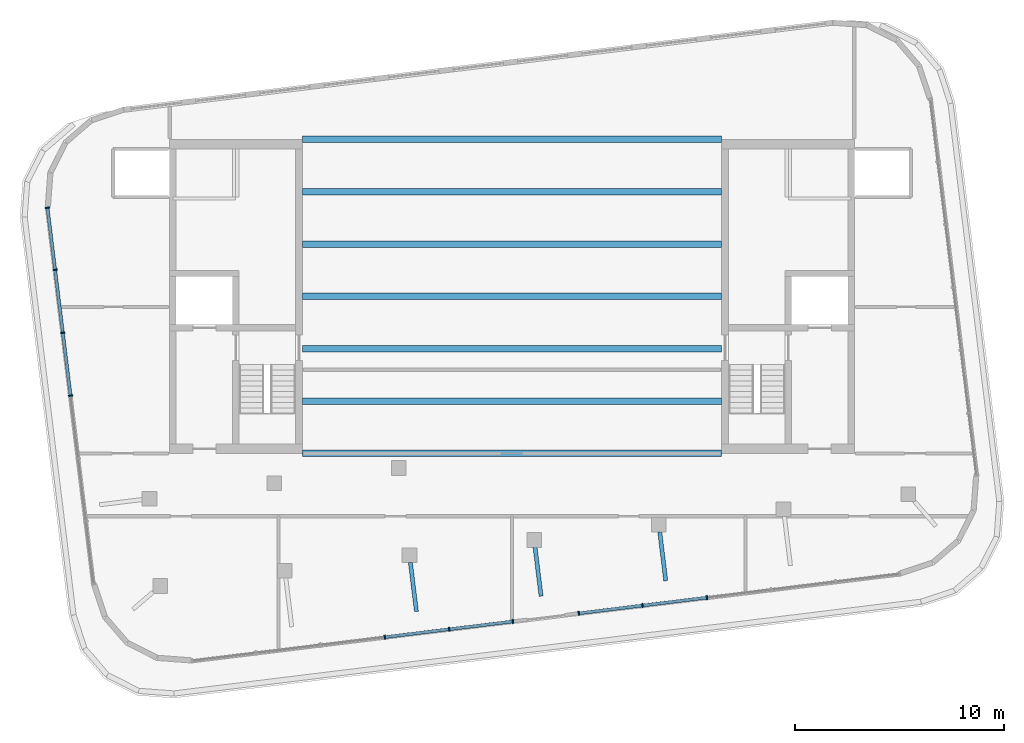
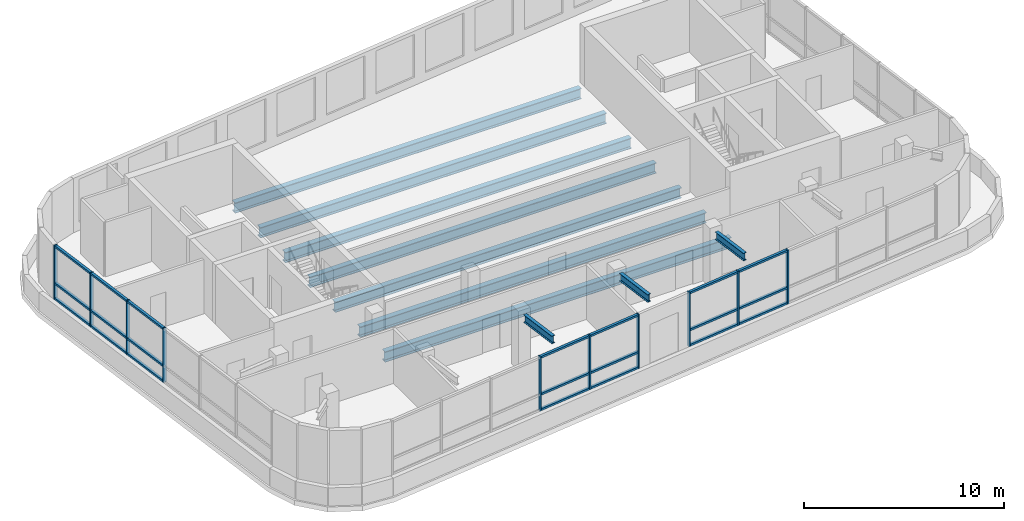
# One storey, part 2 of 8: 31 members, 10 beams, 3 elements without a shape of their own.
"""IFC4 building model written with IfcOpenShell, lengths in metres."""

from ifc_helpers import new_model, si_unit, direction, frame, origin, origin_2d, place, context, subcontext, project, spatial, rectangle, i_section, extrude, material, layer, layer_set, material_profile, profile_set, type_object, element, aggregate, save


model = new_model("IFC4")

# Units and contexts
model_context = context("Model", 3, precision=1e-05, world=origin(), true_north=direction((0.0, 1.0)))
body_context = subcontext(model_context, "Body", "Model", "MODEL_VIEW")
ifc_project = project(units=[si_unit("LENGTHUNIT", "METRE"), si_unit("AREAUNIT", "SQUARE_METRE"), si_unit("VOLUMEUNIT", "CUBIC_METRE"), si_unit("PLANEANGLEUNIT", "RADIAN"), si_unit("MASSUNIT", "GRAM", prefix="KILO")], contexts=[model_context])

# Site, building, storey
site_placement = place(None, origin())
site = spatial("IfcSite", under=ifc_project, at=site_placement, CompositionType="ELEMENT")
building_placement = place(site_placement, origin())
building = spatial("IfcBuilding", under=site, at=building_placement, Name="Torana Hotel and Residences", CompositionType="ELEMENT")
storey_placement = place(building_placement, frame((0.0, 0.0, 346.60009765625)))
storey = spatial("IfcBuildingStorey", under=building, at=storey_placement, Name="C1", CompositionType="ELEMENT", Elevation=346.60009765625)

# Beams
ifc_material_1 = material(Name="Steel S355", Category="steel")
ifc_material_profile_1 = material_profile(ifc_material_1, i_section(OverallWidth=0.19287109375, OverallDepth=0.46728515625, WebThickness=0.011474609375, FlangeThickness=0.01953125, FilletRadius=0.01025390625, at=origin_2d()), Name="457x191x98 UB")
ifc_profile_set_1 = profile_set([ifc_material_profile_1], Name="Steel S355")
beam_type_1 = type_object("IfcBeamType", Name="BALCONY CANTILEVER BEAM 457x191x98 UB", PredefinedType="BEAM", material=ifc_profile_set_1)
beam_1_placement = place(storey_placement, frame((-4.853271484375, -20.2060546875, 3.06640625), z_axis=(0.12190917242, -0.992541260442, 0.0), x_axis=(0.992541260442, 0.12190917242, 0.0)))
element("IfcBeam", 1, at=beam_1_placement, inside=storey, type_object=beam_type_1, Name="Balcony cantilever beam", PredefinedType="BEAM", context=body_context, shape_type="SweptSolid", body=[
    extrude(i_section(OverallWidth=0.19287109375, OverallDepth=0.46728515625, WebThickness=0.011474609375, FlangeThickness=0.01953125, FilletRadius=0.01025390625, at=origin_2d()), origin(), (0.0, 0.0, 1.0), 2.361083984375),
])
beam_2_placement = place(storey_placement, frame((1.101806640625, -19.47509765625, 3.06640625), z_axis=(0.121819809312, -0.992552232409, 0.0), x_axis=(0.992552232409, 0.121819809312, 0.0)))
element("IfcBeam", 2, at=beam_2_placement, inside=storey, type_object=beam_type_1, Name="Balcony cantilever beam", PredefinedType="BEAM", context=body_context, shape_type="SweptSolid", body=[
    extrude(i_section(OverallWidth=0.19287109375, OverallDepth=0.46728515625, WebThickness=0.011474609375, FlangeThickness=0.01953125, FilletRadius=0.01025390625, at=origin_2d()), origin(), (0.0, 0.0, 1.0), 2.36083984375),
])
beam_3_placement = place(storey_placement, frame((7.057861328125, -18.744140625, 3.06640625), z_axis=(0.12183231444, -0.992550697525, 0.0), x_axis=(0.992550697525, 0.12183231444, 0.0)))
element("IfcBeam", 3, at=beam_3_placement, inside=storey, type_object=beam_type_1, Name="Balcony cantilever beam", PredefinedType="BEAM", context=body_context, shape_type="SweptSolid", body=[
    extrude(i_section(OverallWidth=0.19287109375, OverallDepth=0.46728515625, WebThickness=0.011474609375, FlangeThickness=0.01953125, FilletRadius=0.01025390625, at=origin_2d()), origin(), (0.0, 0.0, 1.0), 2.360595703125),
])

# Curtain wall, members
ifc_material_2 = material(Name="Dark anodised aluminium", Category="aluminium")
ifc_layer = layer(ifc_material_2, 0.199951171875)
ifc_layer_set = layer_set([ifc_layer], Name="CW4 CROWN TERRACE GLAZING CURTAIN WALL")
curtain_wall_type = type_object("IfcCurtainWallType", Name="CW4 CROWN TERRACE GLAZING CURTAIN WALL", PredefinedType="NOTDEFINED", material=ifc_layer_set)
curtain_wall_1_placement = place(storey_placement, origin())
curtain_wall_1 = element("IfcCurtainWall", 4, at=curtain_wall_1_placement, inside=storey, type_object=curtain_wall_type, Name="Curtain wall CW4 C1 e0.9", PredefinedType="NOTDEFINED")
ifc_material_3 = material(Name="Dark anodised aluminium", Category="aluminium")
ifc_material_profile_2 = material_profile(ifc_material_3, rectangle(XDim=0.199951171875, YDim=0.070068359375, at=origin_2d()), Name="CW4 MULLION 70x200")
ifc_profile_set_2 = profile_set([ifc_material_profile_2], Name="Dark anodised aluminium")
member_type_1 = type_object("IfcMemberType", Name="CW4 MULLION 70x200", PredefinedType="MULLION", material=ifc_profile_set_2)
member_1_placement = place(storey_placement, frame((-22.189453125, -3.261962890625, 0.0), z_axis=(0.0, 0.0, 1.0), x_axis=(0.992546352669, 0.121867706155, 0.0)))
member_1 = element("IfcMember", 5, at=member_1_placement, type_object=member_type_1, Name="CW4 mullion 1", PredefinedType="MULLION", context=body_context, shape_type="SweptSolid", body=[
    extrude(rectangle(XDim=0.199951171875, YDim=0.070068359375, at=origin_2d()), origin(), (0.0, 0.0, 1.0), 3.31982421875),
])
member_2_placement = place(storey_placement, frame((-21.824951171875, -6.232421875, 0.0), z_axis=(0.0, 0.0, 1.0), x_axis=(0.992546352669, 0.121867706155, 0.0)))
member_2 = element("IfcMember", 6, at=member_2_placement, type_object=member_type_1, Name="CW4 mullion 2", PredefinedType="MULLION", context=body_context, shape_type="SweptSolid", body=[
    extrude(rectangle(XDim=0.199951171875, YDim=0.070068359375, at=origin_2d()), origin(), (0.0, 0.0, 1.0), 3.31982421875),
])
member_3_placement = place(storey_placement, frame((-21.455810546875, -9.2373046875, 0.0), z_axis=(0.0, 0.0, 1.0), x_axis=(0.992546352669, 0.121867706155, 0.0)))
member_3 = element("IfcMember", 7, at=member_3_placement, type_object=member_type_1, Name="CW4 mullion 3", PredefinedType="MULLION", context=body_context, shape_type="SweptSolid", body=[
    extrude(rectangle(XDim=0.199951171875, YDim=0.070068359375, at=origin_2d()), origin(), (0.0, 0.0, 1.0), 3.31982421875),
])
member_4_placement = place(storey_placement, frame((-21.0869140625, -12.242431640625, 0.0), z_axis=(0.0, 0.0, 1.0), x_axis=(0.992546352669, 0.121867706155, 0.0)))
member_4 = element("IfcMember", 8, at=member_4_placement, type_object=member_type_1, Name="CW4 mullion 4", PredefinedType="MULLION", context=body_context, shape_type="SweptSolid", body=[
    extrude(rectangle(XDim=0.199951171875, YDim=0.070068359375, at=origin_2d()), origin(), (0.0, 0.0, 1.0), 3.31982421875),
])

curtain_wall_2_placement = place(storey_placement, origin())
curtain_wall_2 = element("IfcCurtainWall", 9, at=curtain_wall_2_placement, inside=storey, type_object=curtain_wall_type, Name="Curtain wall CW4 C1 e0.14-1", PredefinedType="NOTDEFINED")
member_5_placement = place(storey_placement, frame((-6.074951171875, -23.775390625, 0.0), z_axis=(0.0, 0.0, 1.0), x_axis=(-0.121858188089, 0.992547521278, 0.0)))
member_5 = element("IfcMember", 10, at=member_5_placement, type_object=member_type_1, Name="CW4 mullion 4", PredefinedType="MULLION", context=body_context, shape_type="SweptSolid", body=[
    extrude(rectangle(XDim=0.199951171875, YDim=0.070068359375, at=origin_2d()), origin(), (0.0, 0.0, 1.0), 3.31982421875),
])
member_6_placement = place(storey_placement, frame((-2.997802734375, -23.3974609375, 0.0), z_axis=(0.0, 0.0, 1.0), x_axis=(-0.121858188089, 0.992547521278, 0.0)))
member_6 = element("IfcMember", 11, at=member_6_placement, type_object=member_type_1, Name="CW4 mullion 5", PredefinedType="MULLION", context=body_context, shape_type="SweptSolid", body=[
    extrude(rectangle(XDim=0.199951171875, YDim=0.070068359375, at=origin_2d()), origin(), (0.0, 0.0, 1.0), 3.31982421875),
])
member_7_placement = place(storey_placement, frame((0.044677734375, -23.02392578125, 0.0), z_axis=(0.0, 0.0, 1.0), x_axis=(-0.121858188089, 0.992547521278, 0.0)))
member_7 = element("IfcMember", 12, at=member_7_placement, type_object=member_type_1, Name="CW4 mullion 6", PredefinedType="MULLION", context=body_context, shape_type="SweptSolid", body=[
    extrude(rectangle(XDim=0.199951171875, YDim=0.070068359375, at=origin_2d()), origin(), (0.0, 0.0, 1.0), 3.31982421875),
])

curtain_wall_3_placement = place(storey_placement, origin())
curtain_wall_3 = element("IfcCurtainWall", 13, at=curtain_wall_3_placement, inside=storey, type_object=curtain_wall_type, Name="Curtain wall CW4 C1 e0.14-2", PredefinedType="NOTDEFINED")
member_8_placement = place(storey_placement, frame((3.19140625, -22.637451171875, 0.0), z_axis=(0.0, 0.0, 1.0), x_axis=(-0.121865323504, 0.992546645215, 0.0)))
member_8 = element("IfcMember", 14, at=member_8_placement, type_object=member_type_1, Name="CW4 mullion 1", PredefinedType="MULLION", context=body_context, shape_type="SweptSolid", body=[
    extrude(rectangle(XDim=0.199951171875, YDim=0.070068359375, at=origin_2d()), origin(), (0.0, 0.0, 1.0), 3.31982421875),
])
member_9_placement = place(storey_placement, frame((6.23388671875, -22.263916015625, 0.0), z_axis=(0.0, 0.0, 1.0), x_axis=(-0.121865323504, 0.992546645215, 0.0)))
member_9 = element("IfcMember", 15, at=member_9_placement, type_object=member_type_1, Name="CW4 mullion 2", PredefinedType="MULLION", context=body_context, shape_type="SweptSolid", body=[
    extrude(rectangle(XDim=0.199951171875, YDim=0.070068359375, at=origin_2d()), origin(), (0.0, 0.0, 1.0), 3.31982421875),
])
member_10_placement = place(storey_placement, frame((9.31103515625, -21.88623046875, 0.0), z_axis=(0.0, 0.0, 1.0), x_axis=(-0.121865323504, 0.992546645215, 0.0)))
member_10 = element("IfcMember", 16, at=member_10_placement, type_object=member_type_1, Name="CW4 mullion 3", PredefinedType="MULLION", context=body_context, shape_type="SweptSolid", body=[
    extrude(rectangle(XDim=0.199951171875, YDim=0.070068359375, at=origin_2d()), origin(), (0.0, 0.0, 1.0), 3.31982421875),
])

# Member
ifc_material_4 = material(Name="Dark anodised aluminium", Category="aluminium")
ifc_material_profile_3 = material_profile(ifc_material_4, rectangle(XDim=0.14990234375, YDim=0.1201171875, at=origin_2d()), Name="CW4 TRANSOM 150x120")
ifc_profile_set_3 = profile_set([ifc_material_profile_3], Name="Dark anodised aluminium")
member_type_2 = type_object("IfcMemberType", Name="CW4 TRANSOM 150x120", PredefinedType="USERDEFINED", material=ifc_profile_set_3)
member_11_placement = place(storey_placement, frame((-22.185302734375, -3.296875, 0.059814453125), z_axis=(0.121885526137, -0.992544164518, 0.0), x_axis=(0.992544164518, 0.121885526137, 0.0)))
member_11 = element("IfcMember", 17, at=member_11_placement, type_object=member_type_2, Name="CW4 transom 1.1", ObjectType="TRANSOM", PredefinedType="USERDEFINED", context=body_context, shape_type="SweptSolid", body=[
    extrude(rectangle(XDim=0.14990234375, YDim=0.1201171875, at=origin_2d()), origin(), (0.0, 0.0, 1.0), 2.92236328125),
])

member_12_placement = place(storey_placement, frame((-22.185302734375, -3.296875, 1.0), z_axis=(0.121885526137, -0.992544164518, 0.0), x_axis=(0.992544164518, 0.121885526137, 0.0)))
member_12 = element("IfcMember", 18, at=member_12_placement, type_object=member_type_2, Name="CW4 transom 1.2", ObjectType="TRANSOM", PredefinedType="USERDEFINED", context=body_context, shape_type="SweptSolid", body=[
    extrude(rectangle(XDim=0.14990234375, YDim=0.1201171875, at=origin_2d()), origin(), (0.0, 0.0, 1.0), 2.92236328125),
])

member_13_placement = place(storey_placement, frame((-22.185302734375, -3.296875, 3.260009765625), z_axis=(0.121885526137, -0.992544164518, 0.0), x_axis=(0.992544164518, 0.121885526137, 0.0)))
member_13 = element("IfcMember", 19, at=member_13_placement, type_object=member_type_2, Name="CW4 transom 1.3", ObjectType="TRANSOM", PredefinedType="USERDEFINED", context=body_context, shape_type="SweptSolid", body=[
    extrude(rectangle(XDim=0.14990234375, YDim=0.1201171875, at=origin_2d()), origin(), (0.0, 0.0, 1.0), 2.92236328125),
])

member_14_placement = place(storey_placement, frame((-21.820556640625, -6.26708984375, 0.059814453125), z_axis=(0.121839940769, -0.992549761389, 0.0), x_axis=(0.992549761389, 0.121839940769, 0.0)))
member_14 = element("IfcMember", 20, at=member_14_placement, type_object=member_type_2, Name="CW4 transom 2.1", ObjectType="TRANSOM", PredefinedType="USERDEFINED", context=body_context, shape_type="SweptSolid", body=[
    extrude(rectangle(XDim=0.14990234375, YDim=0.1201171875, at=origin_2d()), origin(), (0.0, 0.0, 1.0), 2.95751953125),
])

member_15_placement = place(storey_placement, frame((-21.820556640625, -6.26708984375, 1.0), z_axis=(0.121839940769, -0.992549761389, 0.0), x_axis=(0.992549761389, 0.121839940769, 0.0)))
member_15 = element("IfcMember", 21, at=member_15_placement, type_object=member_type_2, Name="CW4 transom 2.2", ObjectType="TRANSOM", PredefinedType="USERDEFINED", context=body_context, shape_type="SweptSolid", body=[
    extrude(rectangle(XDim=0.14990234375, YDim=0.1201171875, at=origin_2d()), origin(), (0.0, 0.0, 1.0), 2.95751953125),
])

member_16_placement = place(storey_placement, frame((-21.820556640625, -6.26708984375, 3.260009765625), z_axis=(0.121839940769, -0.992549761389, 0.0), x_axis=(0.992549761389, 0.121839940769, 0.0)))
member_16 = element("IfcMember", 22, at=member_16_placement, type_object=member_type_2, Name="CW4 transom 2.3", ObjectType="TRANSOM", PredefinedType="USERDEFINED", context=body_context, shape_type="SweptSolid", body=[
    extrude(rectangle(XDim=0.14990234375, YDim=0.1201171875, at=origin_2d()), origin(), (0.0, 0.0, 1.0), 2.95751953125),
])

member_17_placement = place(storey_placement, frame((-21.45166015625, -9.272216796875, 0.059814453125), z_axis=(0.121921261514, -0.992539775521, 0.0), x_axis=(0.992539775521, 0.121921261514, 0.0)))
member_17 = element("IfcMember", 23, at=member_17_placement, type_object=member_type_2, Name="CW4 transom 3.1", ObjectType="TRANSOM", PredefinedType="USERDEFINED", context=body_context, shape_type="SweptSolid", body=[
    extrude(rectangle(XDim=0.14990234375, YDim=0.1201171875, at=origin_2d()), origin(), (0.0, 0.0, 1.0), 2.95751953125),
])

member_18_placement = place(storey_placement, frame((-21.45166015625, -9.272216796875, 1.0), z_axis=(0.121921261514, -0.992539775521, 0.0), x_axis=(0.992539775521, 0.121921261514, 0.0)))
member_18 = element("IfcMember", 24, at=member_18_placement, type_object=member_type_2, Name="CW4 transom 3.2", ObjectType="TRANSOM", PredefinedType="USERDEFINED", context=body_context, shape_type="SweptSolid", body=[
    extrude(rectangle(XDim=0.14990234375, YDim=0.1201171875, at=origin_2d()), origin(), (0.0, 0.0, 1.0), 2.95751953125),
])

member_19_placement = place(storey_placement, frame((-21.45166015625, -9.272216796875, 3.260009765625), z_axis=(0.121921261514, -0.992539775521, 0.0), x_axis=(0.992539775521, 0.121921261514, 0.0)))
member_19 = element("IfcMember", 25, at=member_19_placement, type_object=member_type_2, Name="CW4 transom 3.3", ObjectType="TRANSOM", PredefinedType="USERDEFINED", context=body_context, shape_type="SweptSolid", body=[
    extrude(rectangle(XDim=0.14990234375, YDim=0.1201171875, at=origin_2d()), origin(), (0.0, 0.0, 1.0), 2.95751953125),
])

aggregate(curtain_wall_1, [member_1, member_2, member_3, member_4, member_11, member_12, member_13, member_14, member_15, member_16, member_17, member_18, member_19])

member_20_placement = place(storey_placement, frame((-6.040283203125, -23.77099609375, 0.059814453125), z_axis=(0.992553028088, 0.121813326174, 0.0), x_axis=(-0.121813326174, 0.992553028088, 0.0)))
member_20 = element("IfcMember", 26, at=member_20_placement, type_object=member_type_2, Name="CW4 transom 4.1", ObjectType="TRANSOM", PredefinedType="USERDEFINED", context=body_context, shape_type="SweptSolid", body=[
    extrude(rectangle(XDim=0.14990234375, YDim=0.1201171875, at=origin_2d()), origin(), (0.0, 0.0, 1.0), 3.0302734375),
])

member_21_placement = place(storey_placement, frame((-6.040283203125, -23.77099609375, 1.0), z_axis=(0.992553028088, 0.121813326174, 0.0), x_axis=(-0.121813326174, 0.992553028088, 0.0)))
member_21 = element("IfcMember", 27, at=member_21_placement, type_object=member_type_2, Name="CW4 transom 4.2", ObjectType="TRANSOM", PredefinedType="USERDEFINED", context=body_context, shape_type="SweptSolid", body=[
    extrude(rectangle(XDim=0.14990234375, YDim=0.1201171875, at=origin_2d()), origin(), (0.0, 0.0, 1.0), 3.0302734375),
])

member_22_placement = place(storey_placement, frame((-6.040283203125, -23.77099609375, 3.260009765625), z_axis=(0.992553028088, 0.121813326174, 0.0), x_axis=(-0.121813326174, 0.992553028088, 0.0)))
member_22 = element("IfcMember", 28, at=member_22_placement, type_object=member_type_2, Name="CW4 transom 4.3", ObjectType="TRANSOM", PredefinedType="USERDEFINED", context=body_context, shape_type="SweptSolid", body=[
    extrude(rectangle(XDim=0.14990234375, YDim=0.1201171875, at=origin_2d()), origin(), (0.0, 0.0, 1.0), 3.0302734375),
])

member_23_placement = place(storey_placement, frame((-2.963134765625, -23.393310546875, 0.059814453125), z_axis=(0.992548817034, 0.121847633558, 0.0), x_axis=(-0.121847633558, 0.992548817034, 0.0)))
member_23 = element("IfcMember", 29, at=member_23_placement, type_object=member_type_2, Name="CW4 transom 5.1", ObjectType="TRANSOM", PredefinedType="USERDEFINED", context=body_context, shape_type="SweptSolid", body=[
    extrude(rectangle(XDim=0.14990234375, YDim=0.1201171875, at=origin_2d()), origin(), (0.0, 0.0, 1.0), 2.995361328125),
])

member_24_placement = place(storey_placement, frame((-2.963134765625, -23.393310546875, 1.0), z_axis=(0.992548817034, 0.121847633558, 0.0), x_axis=(-0.121847633558, 0.992548817034, 0.0)))
member_24 = element("IfcMember", 30, at=member_24_placement, type_object=member_type_2, Name="CW4 transom 5.2", ObjectType="TRANSOM", PredefinedType="USERDEFINED", context=body_context, shape_type="SweptSolid", body=[
    extrude(rectangle(XDim=0.14990234375, YDim=0.1201171875, at=origin_2d()), origin(), (0.0, 0.0, 1.0), 2.995361328125),
])

member_25_placement = place(storey_placement, frame((-2.963134765625, -23.393310546875, 3.260009765625), z_axis=(0.992548817034, 0.121847633558, 0.0), x_axis=(-0.121847633558, 0.992548817034, 0.0)))
member_25 = element("IfcMember", 31, at=member_25_placement, type_object=member_type_2, Name="CW4 transom 5.3", ObjectType="TRANSOM", PredefinedType="USERDEFINED", context=body_context, shape_type="SweptSolid", body=[
    extrude(rectangle(XDim=0.14990234375, YDim=0.1201171875, at=origin_2d()), origin(), (0.0, 0.0, 1.0), 2.995361328125),
])

aggregate(curtain_wall_2, [member_5, member_6, member_7, member_20, member_21, member_22, member_23, member_24, member_25])

member_26_placement = place(storey_placement, frame((3.22607421875, -22.63330078125, 0.059814453125), z_axis=(0.992547606819, 0.121857491352, 0.0), x_axis=(-0.121857491352, 0.992547606819, 0.0)))
member_26 = element("IfcMember", 32, at=member_26_placement, type_object=member_type_2, Name="CW4 transom 1.1", ObjectType="TRANSOM", PredefinedType="USERDEFINED", context=body_context, shape_type="SweptSolid", body=[
    extrude(rectangle(XDim=0.14990234375, YDim=0.1201171875, at=origin_2d()), origin(), (0.0, 0.0, 1.0), 2.9951171875),
])

member_27_placement = place(storey_placement, frame((3.22607421875, -22.63330078125, 1.0), z_axis=(0.992547606819, 0.121857491352, 0.0), x_axis=(-0.121857491352, 0.992547606819, 0.0)))
member_27 = element("IfcMember", 33, at=member_27_placement, type_object=member_type_2, Name="CW4 transom 1.2", ObjectType="TRANSOM", PredefinedType="USERDEFINED", context=body_context, shape_type="SweptSolid", body=[
    extrude(rectangle(XDim=0.14990234375, YDim=0.1201171875, at=origin_2d()), origin(), (0.0, 0.0, 1.0), 2.9951171875),
])

member_28_placement = place(storey_placement, frame((3.22607421875, -22.63330078125, 3.260009765625), z_axis=(0.992547606819, 0.121857491352, 0.0), x_axis=(-0.121857491352, 0.992547606819, 0.0)))
member_28 = element("IfcMember", 34, at=member_28_placement, type_object=member_type_2, Name="CW4 transom 1.3", ObjectType="TRANSOM", PredefinedType="USERDEFINED", context=body_context, shape_type="SweptSolid", body=[
    extrude(rectangle(XDim=0.14990234375, YDim=0.1201171875, at=origin_2d()), origin(), (0.0, 0.0, 1.0), 2.9951171875),
])

member_29_placement = place(storey_placement, frame((6.2685546875, -22.259765625, 0.059814453125), z_axis=(0.99254328428, 0.121892693922, 0.0), x_axis=(-0.121892693922, 0.99254328428, 0.0)))
member_29 = element("IfcMember", 35, at=member_29_placement, type_object=member_type_2, Name="CW4 transom 2.1", ObjectType="TRANSOM", PredefinedType="USERDEFINED", context=body_context, shape_type="SweptSolid", body=[
    extrude(rectangle(XDim=0.14990234375, YDim=0.1201171875, at=origin_2d()), origin(), (0.0, 0.0, 1.0), 3.030517578125),
])

member_30_placement = place(storey_placement, frame((6.2685546875, -22.259765625, 1.0), z_axis=(0.99254328428, 0.121892693922, 0.0), x_axis=(-0.121892693922, 0.99254328428, 0.0)))
member_30 = element("IfcMember", 36, at=member_30_placement, type_object=member_type_2, Name="CW4 transom 2.2", ObjectType="TRANSOM", PredefinedType="USERDEFINED", context=body_context, shape_type="SweptSolid", body=[
    extrude(rectangle(XDim=0.14990234375, YDim=0.1201171875, at=origin_2d()), origin(), (0.0, 0.0, 1.0), 3.030517578125),
])

member_31_placement = place(storey_placement, frame((6.2685546875, -22.259765625, 3.260009765625), z_axis=(0.99254328428, 0.121892693922, 0.0), x_axis=(-0.121892693922, 0.99254328428, 0.0)))
member_31 = element("IfcMember", 37, at=member_31_placement, type_object=member_type_2, Name="CW4 transom 2.3", ObjectType="TRANSOM", PredefinedType="USERDEFINED", context=body_context, shape_type="SweptSolid", body=[
    extrude(rectangle(XDim=0.14990234375, YDim=0.1201171875, at=origin_2d()), origin(), (0.0, 0.0, 1.0), 3.030517578125),
])

aggregate(curtain_wall_3, [member_8, member_9, member_10, member_26, member_27, member_28, member_29, member_30, member_31])

# Beams
ifc_material_5 = material(Name="Steel S355", Category="steel")
ifc_material_profile_4 = material_profile(ifc_material_5, i_section(OverallWidth=0.311279296875, OverallDepth=0.6357421875, WebThickness=0.018310546875, FlangeThickness=0.031494140625, FilletRadius=0.0166015625, at=origin_2d()), Name="610x305x238 UB")
ifc_profile_set_4 = profile_set([ifc_material_profile_4], Name="Steel S355")
beam_type_2 = type_object("IfcBeamType", Name="STEEL GIRDER 610x305x238 UB", PredefinedType="BEAM", material=ifc_profile_set_4)
for number, where, z_axis, x_axis, name in (
    (38, (-10.0, -15.0, -0.597900390625), (1.0, 0.0, 0.0), (0.0, 1.0, 0.0), "Floor girder"),
    (39, (-10.0, -12.5, -0.597900390625), (1.0, 0.0, 0.0), (0.0, 1.0, 0.0), "Floor girder"),
    (40, (-10.0, -10.0, -0.597900390625), (1.0, 0.0, 0.0), (0.0, 1.0, 0.0), "Floor girder"),
    (41, (-10.0, -7.5, -0.597900390625), (1.0, 0.0, 0.0), (0.0, 1.0, 0.0), "Floor girder"),
    (42, (-10.0, -5.0, -0.597900390625), (1.0, 0.0, 0.0), (0.0, 1.0, 0.0), "Floor girder"),
    (43, (-10.0, -2.5, -0.597900390625), (1.0, 0.0, 0.0), (0.0, 1.0, 0.0), "Floor girder"),
    (44, (-10.0, 0.0, -0.597900390625), (1.0, 0.0, 0.0), (0.0, 1.0, 0.0), "Floor girder"),
):
    element("IfcBeam", number, at=place(storey_placement, frame(where, z_axis=z_axis, x_axis=x_axis)), inside=storey, type_object=beam_type_2, Name=name, PredefinedType="BEAM", context=body_context, shape_type="SweptSolid", body=[
        extrude(i_section(OverallWidth=0.311279296875, OverallDepth=0.6357421875, WebThickness=0.018310546875, FlangeThickness=0.031494140625, FilletRadius=0.0166015625, at=origin_2d()), origin(), (0.0, 0.0, 1.0), 20.0),
    ])

save(model, "model.ifc")
